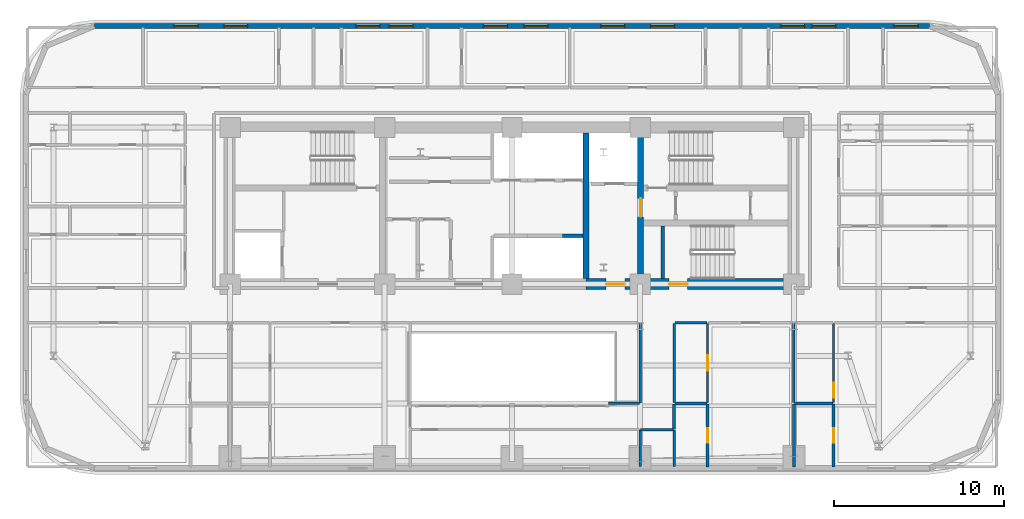
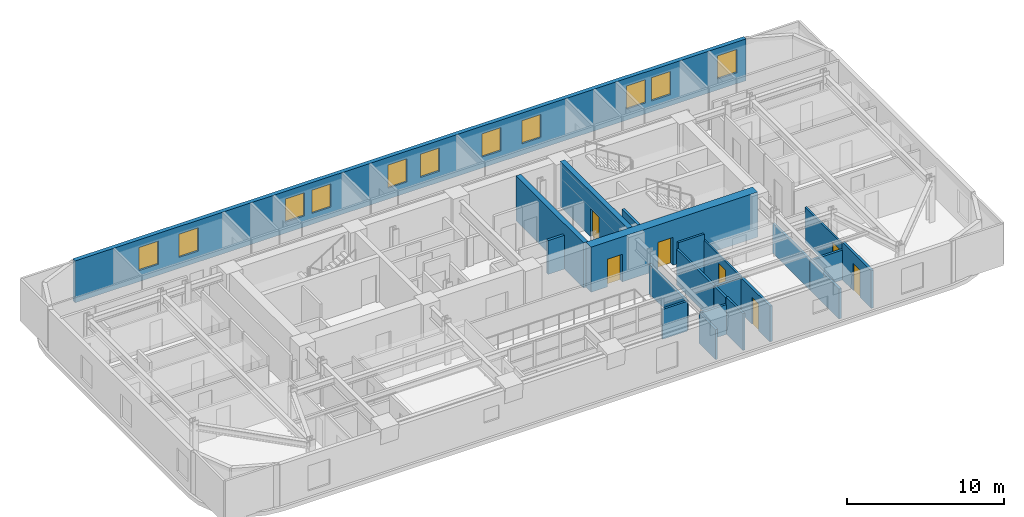
# One storey, part 11 of 16: 22 walls, 11 windows, 7 doors, 18 openings.
"""IFC4 building model written with IfcOpenShell, lengths in metres."""

from ifc_helpers import new_model, si_unit, direction, frame, frame_2d, origin, place, context, subcontext, project, spatial, rectangle, extrude, material, layer, layer_set, type_object, element, fill, save


model = new_model("IFC4")

# Units and contexts
model_context = context("Model", 3, precision=1e-05, world=origin(), true_north=direction((0.0, 1.0)))
body_context = subcontext(model_context, "Body", "Model", "MODEL_VIEW")
ifc_project = project(units=[si_unit("LENGTHUNIT", "METRE"), si_unit("AREAUNIT", "SQUARE_METRE"), si_unit("VOLUMEUNIT", "CUBIC_METRE"), si_unit("PLANEANGLEUNIT", "RADIAN"), si_unit("MASSUNIT", "GRAM", prefix="KILO")], contexts=[model_context])

# Site, building, storey
site_placement = place(None, origin())
site = spatial("IfcSite", under=ifc_project, at=site_placement, CompositionType="ELEMENT")
building_placement = place(site_placement, origin())
building = spatial("IfcBuilding", under=site, at=building_placement, Name="Zarnavel Station Tower", CompositionType="ELEMENT")
storey_placement = place(building_placement, frame((0.0, 0.0, 94.300048828125)))
storey = spatial("IfcBuildingStorey", under=building, at=storey_placement, Name="L25", CompositionType="ELEMENT", Elevation=94.300048828125)

# Wall
ifc_material_1 = material(Name="Concrete C50/60", Category="concrete")
ifc_layer_1 = layer(ifc_material_1, 0.35009765625)
ifc_layer_set_1 = layer_set([ifc_layer_1], Name="CW_350")
wall_type_1 = type_object("IfcWallType", Name="CW_350", PredefinedType="SHEAR", material=ifc_layer_set_1)
wall_1_placement = place(storey_placement, frame((33.14990234375, 28.14501953125, 0.0), z_axis=(0.0, 0.0, 1.0), x_axis=(0.0, 1.0, 0.0)))
element("IfcWall", 1, at=wall_1_placement, inside=storey, type_object=wall_type_1, Name="L25 Rear Core Shear Wall DIV-E", PredefinedType="SHEAR", context=body_context, shape_type="SweptSolid", body=[
    extrude(rectangle(XDim=8.580078125, YDim=0.35009765625, at=frame_2d((4.2900390625, 0.0))), origin(), (0.0, 0.0, 1.0), 3.5),
])

# Wall, opening, door
wall_2_placement = place(storey_placement, frame((36.3798828125, 28.14501953125, 0.0), z_axis=(0.0, 0.0, 1.0), x_axis=(0.0, 1.0, 0.0)))
wall_2 = element("IfcWall", 2, at=wall_2_placement, inside=storey, type_object=wall_type_1, Name="L25 Rear Core Shear Wall DIV-S2", PredefinedType="SHEAR", context=body_context, shape_type="SweptSolid", body=[
    extrude(rectangle(XDim=8.580078125, YDim=0.35009765625, at=frame_2d((4.2900390625, 0.0))), origin(), (0.0, 0.0, 1.0), 3.5),
])
opening_1_placement = place(wall_2_placement, frame((3.635009765625, 0.0, 0.0)))
opening_1 = element("IfcOpeningElement", 3, at=opening_1_placement, cuts=wall_2, Name="Opening FD01", PredefinedType="OPENING", context=body_context, shape_type="SweptSolid", body=[
    extrude(rectangle(XDim=1.10009765625, YDim=2.14990234375, at=frame_2d((0.550048828125, 1.074951171875))), frame((0.0, 0.18505859375, 0.0), z_axis=(0.0, -1.0, 0.0), x_axis=(1.0, 0.0, 0.0)), (0.0, 0.0, 1.0), 0.3701171875),
])
ifc_material_2 = material(Name="Painted Galvanised Steel and Hardwood Leaf", Category="steel")
door_type_1 = type_object("IfcDoorType", Name="ID_STAIR_1100", OperationType="NOTDEFINED", PredefinedType="DOOR", material=ifc_material_2)
door_1_placement = place(opening_1_placement, origin())
door_1 = element("IfcDoor", 4, at=door_1_placement, inside=storey, type_object=door_type_1, Name="L25 East Stair Vestibule Fire Door", OperationType="SINGLE_SWING_LEFT", OverallHeight=2.14990234375, OverallWidth=1.10009765625, PredefinedType="DOOR", context=body_context, shape_type="SweptSolid", body=[
    extrude(rectangle(XDim=1.10009765625, YDim=2.14990234375, at=frame_2d((0.550048828125, 1.074951171875))), frame((0.0, 0.02490234375, 0.0), z_axis=(0.0, -1.0, 0.0), x_axis=(1.0, 0.0, 0.0)), (0.0, 0.0, 1.0), 0.050048828125),
])
fill(opening_1, door_1)

# Wall, openings, doors
ifc_material_3 = material(Name="Concrete C60/75", Category="concrete")
ifc_layer_2 = layer(ifc_material_3, 0.64990234375)
ifc_layer_set_2 = layer_set([ifc_layer_2], Name="CW_650")
wall_type_2 = type_object("IfcWallType", Name="CW_650", PredefinedType="SHEAR", material=ifc_layer_set_2)
wall_3_placement = place(storey_placement, frame((45.3798828125, 27.820068359375, 0.0), z_axis=(0.0, 0.0, 1.0), x_axis=(-1.0, 0.0, 0.0)))
wall_3 = element("IfcWall", 5, at=wall_3_placement, inside=storey, type_object=wall_type_2, Name="L25 Rear Core Shear Wall S-E", PredefinedType="SHEAR", context=body_context, shape_type="SweptSolid", body=[
    extrude(rectangle(XDim=12.22998046875, YDim=0.64990234375, at=frame_2d((6.114990234375, 0.0))), origin(), (0.0, 0.0, 1.0), 3.5),
])
opening_2_placement = place(wall_3_placement, frame((9.929931640625, 0.0, 0.0)))
opening_2 = element("IfcOpeningElement", 6, at=opening_2_placement, cuts=wall_3, Name="Opening FD01", PredefinedType="OPENING", context=body_context, shape_type="SweptSolid", body=[
    extrude(rectangle(XDim=1.10009765625, YDim=2.14990234375, at=frame_2d((0.550048828125, 1.074951171875))), frame((0.0, 0.3349609375, 0.0), z_axis=(0.0, -1.0, 0.0), x_axis=(1.0, 0.0, 0.0)), (0.0, 0.0, 1.0), 0.669921875),
])
opening_3_placement = place(wall_3_placement, frame((6.22998046875, 0.0, 0.0)))
opening_3 = element("IfcOpeningElement", 7, at=opening_3_placement, cuts=wall_3, Name="Opening FD01", PredefinedType="OPENING", context=body_context, shape_type="SweptSolid", body=[
    extrude(rectangle(XDim=1.10009765625, YDim=2.14990234375, at=frame_2d((0.550048828125, 1.074951171875))), frame((0.0, 0.3349609375, 0.0), z_axis=(0.0, -1.0, 0.0), x_axis=(1.0, 0.0, 0.0)), (0.0, 0.0, 1.0), 0.669921875),
])
door_2_placement = place(opening_2_placement, origin())
door_2 = element("IfcDoor", 8, at=door_2_placement, inside=storey, type_object=door_type_1, Name="L25 East Firefighting Lobby Door", OperationType="SINGLE_SWING_LEFT", OverallHeight=2.14990234375, OverallWidth=1.10009765625, PredefinedType="DOOR", context=body_context, shape_type="SweptSolid", body=[
    extrude(rectangle(XDim=1.10009765625, YDim=2.14990234375, at=frame_2d((0.550048828125, 1.074951171875))), frame((0.0, 0.02490234375, 0.0), z_axis=(0.0, -1.0, 0.0), x_axis=(1.0, 0.0, 0.0)), (0.0, 0.0, 1.0), 0.050048828125),
])
fill(opening_2, door_2)
door_3_placement = place(opening_3_placement, origin())
door_3 = element("IfcDoor", 9, at=door_3_placement, inside=storey, type_object=door_type_1, Name="L25 Stair ST3 Corridor Fire Door", OperationType="SINGLE_SWING_RIGHT", OverallHeight=2.14990234375, OverallWidth=1.10009765625, PredefinedType="DOOR", context=body_context, shape_type="SweptSolid", body=[
    extrude(rectangle(XDim=1.10009765625, YDim=2.14990234375, at=frame_2d((0.550048828125, 1.074951171875))), frame((0.0, 0.02490234375, 0.0), z_axis=(0.0, -1.0, 0.0), x_axis=(1.0, 0.0, 0.0)), (0.0, 0.0, 1.0), 0.050048828125),
])
fill(opening_3, door_3)

# Wall, openings, windows
ifc_material_4 = material(Name="Precast concrete C45/55 (Dark Basalt Finish)", Category="masonry")
ifc_layer_3 = layer(ifc_material_4, 0.300048828125)
ifc_layer_set_3 = layer_set([ifc_layer_3], Name="EW_BASALT_300")
wall_type_3 = type_object("IfcWallType", Name="EW_BASALT_300", PredefinedType="SOLIDWALL", material=ifc_layer_set_3)
wall_4_placement = place(storey_placement, frame((4.199951171875, 43.02001953125, 0.0), z_axis=(0.0, 0.0, 1.0), x_axis=(1.0, 0.0, 0.0)))
wall_4 = element("IfcWall", 10, at=wall_4_placement, inside=storey, type_object=wall_type_3, Name="L25 Exterior Basalt Masonry Frame Wall 06", PredefinedType="SOLIDWALL", context=body_context, shape_type="SweptSolid", body=[
    extrude(rectangle(XDim=49.199951171875, YDim=0.300048828125, at=frame_2d((24.60009765625, 0.0))), origin(), (0.0, 0.0, 1.0), 3.239990234375),
])
opening_4_placement = place(wall_4_placement, frame((4.6953125, 0.0, 0.85009765625)))
opening_4 = element("IfcOpeningElement", 11, at=opening_4_placement, cuts=wall_4, Name="Opening WN01", PredefinedType="OPENING", context=body_context, shape_type="SweptSolid", body=[
    extrude(rectangle(XDim=1.39990234375, YDim=1.800048828125, at=frame_2d((0.699951171875, 0.89990234375))), frame((0.0, 0.159912109375, 0.0), z_axis=(0.0, -1.0, 0.0), x_axis=(1.0, 0.0, 0.0)), (0.0, 0.0, 1.0), 0.320068359375),
])
opening_5_placement = place(wall_4_placement, frame((7.630615234375, 0.0, 0.85009765625)))
opening_5 = element("IfcOpeningElement", 12, at=opening_5_placement, cuts=wall_4, Name="Opening WN01", PredefinedType="OPENING", context=body_context, shape_type="SweptSolid", body=[
    extrude(rectangle(XDim=1.39990234375, YDim=1.800048828125, at=frame_2d((0.699951171875, 0.89990234375))), frame((0.0, 0.159912109375, 0.0), z_axis=(0.0, -1.0, 0.0), x_axis=(1.0, 0.0, 0.0)), (0.0, 0.0, 1.0), 0.320068359375),
])
opening_6_placement = place(wall_4_placement, frame((15.417236328125, 0.0, 0.85009765625)))
opening_6 = element("IfcOpeningElement", 13, at=opening_6_placement, cuts=wall_4, Name="Opening WN01", PredefinedType="OPENING", context=body_context, shape_type="SweptSolid", body=[
    extrude(rectangle(XDim=1.39990234375, YDim=1.800048828125, at=frame_2d((0.699951171875, 0.89990234375))), frame((0.0, 0.159912109375, 0.0), z_axis=(0.0, -1.0, 0.0), x_axis=(1.0, 0.0, 0.0)), (0.0, 0.0, 1.0), 0.320068359375),
])
opening_7_placement = place(wall_4_placement, frame((17.36865234375, 0.0, 0.85009765625)))
opening_7 = element("IfcOpeningElement", 14, at=opening_7_placement, cuts=wall_4, Name="Opening WN01", PredefinedType="OPENING", context=body_context, shape_type="SweptSolid", body=[
    extrude(rectangle(XDim=1.39990234375, YDim=1.800048828125, at=frame_2d((0.699951171875, 0.89990234375))), frame((0.0, 0.159912109375, 0.0), z_axis=(0.0, -1.0, 0.0), x_axis=(1.0, 0.0, 0.0)), (0.0, 0.0, 1.0), 0.320068359375),
])
opening_8_placement = place(wall_4_placement, frame((22.920654296875, 0.0, 0.85009765625)))
opening_8 = element("IfcOpeningElement", 15, at=opening_8_placement, cuts=wall_4, Name="Opening WN01", PredefinedType="OPENING", context=body_context, shape_type="SweptSolid", body=[
    extrude(rectangle(XDim=1.39990234375, YDim=1.800048828125, at=frame_2d((0.699951171875, 0.89990234375))), frame((0.0, 0.159912109375, 0.0), z_axis=(0.0, -1.0, 0.0), x_axis=(1.0, 0.0, 0.0)), (0.0, 0.0, 1.0), 0.320068359375),
])
opening_9_placement = place(wall_4_placement, frame((25.310302734375, 0.0, 0.85009765625)))
opening_9 = element("IfcOpeningElement", 16, at=opening_9_placement, cuts=wall_4, Name="Opening WN01", PredefinedType="OPENING", context=body_context, shape_type="SweptSolid", body=[
    extrude(rectangle(XDim=1.39990234375, YDim=1.800048828125, at=frame_2d((0.699951171875, 0.89990234375))), frame((0.0, 0.159912109375, 0.0), z_axis=(0.0, -1.0, 0.0), x_axis=(1.0, 0.0, 0.0)), (0.0, 0.0, 1.0), 0.320068359375),
])
opening_10_placement = place(wall_4_placement, frame((29.835205078125, 0.0, 0.85009765625)))
opening_10 = element("IfcOpeningElement", 17, at=opening_10_placement, cuts=wall_4, Name="Opening WN01", PredefinedType="OPENING", context=body_context, shape_type="SweptSolid", body=[
    extrude(rectangle(XDim=1.39990234375, YDim=1.800048828125, at=frame_2d((0.699951171875, 0.89990234375))), frame((0.0, 0.159912109375, 0.0), z_axis=(0.0, -1.0, 0.0), x_axis=(1.0, 0.0, 0.0)), (0.0, 0.0, 1.0), 0.320068359375),
])
opening_11_placement = place(wall_4_placement, frame((32.770751953125, 0.0, 0.85009765625)))
opening_11 = element("IfcOpeningElement", 18, at=opening_11_placement, cuts=wall_4, Name="Opening WN01", PredefinedType="OPENING", context=body_context, shape_type="SweptSolid", body=[
    extrude(rectangle(XDim=1.39990234375, YDim=1.800048828125, at=frame_2d((0.699951171875, 0.89990234375))), frame((0.0, 0.159912109375, 0.0), z_axis=(0.0, -1.0, 0.0), x_axis=(1.0, 0.0, 0.0)), (0.0, 0.0, 1.0), 0.320068359375),
])
opening_12_placement = place(wall_4_placement, frame((40.437255859375, 0.0, 0.85009765625)))
opening_12 = element("IfcOpeningElement", 19, at=opening_12_placement, cuts=wall_4, Name="Opening WN01", PredefinedType="OPENING", context=body_context, shape_type="SweptSolid", body=[
    extrude(rectangle(XDim=1.39990234375, YDim=1.800048828125, at=frame_2d((0.699951171875, 0.89990234375))), frame((0.0, 0.159912109375, 0.0), z_axis=(0.0, -1.0, 0.0), x_axis=(1.0, 0.0, 0.0)), (0.0, 0.0, 1.0), 0.320068359375),
])
opening_13_placement = place(wall_4_placement, frame((42.268798828125, 0.0, 0.85009765625)))
opening_13 = element("IfcOpeningElement", 20, at=opening_13_placement, cuts=wall_4, Name="Opening WN01", PredefinedType="OPENING", context=body_context, shape_type="SweptSolid", body=[
    extrude(rectangle(XDim=1.39990234375, YDim=1.800048828125, at=frame_2d((0.699951171875, 0.89990234375))), frame((0.0, 0.159912109375, 0.0), z_axis=(0.0, -1.0, 0.0), x_axis=(1.0, 0.0, 0.0)), (0.0, 0.0, 1.0), 0.320068359375),
])
opening_14_placement = place(wall_4_placement, frame((47.114990234375, 0.0, 0.85009765625)))
opening_14 = element("IfcOpeningElement", 21, at=opening_14_placement, cuts=wall_4, Name="Opening WN01", PredefinedType="OPENING", context=body_context, shape_type="SweptSolid", body=[
    extrude(rectangle(XDim=1.39990234375, YDim=1.800048828125, at=frame_2d((0.699951171875, 0.89990234375))), frame((0.0, 0.159912109375, 0.0), z_axis=(0.0, -1.0, 0.0), x_axis=(1.0, 0.0, 0.0)), (0.0, 0.0, 1.0), 0.320068359375),
])
ifc_material_5 = material(Name="Thermally Broken Black Aluminium and Low-E Dark Glass", Category="aluminium")
window_type = type_object("IfcWindowType", Name="WN_1400x1800", PartitioningType="DOUBLE_PANEL_VERTICAL", PredefinedType="WINDOW", material=ifc_material_5)
window_1_placement = place(opening_4_placement, origin())
window_1 = element("IfcWindow", 22, at=window_1_placement, inside=storey, type_object=window_type, Name="L25 Recessed Facade Window 01", OverallHeight=1.800048828125, OverallWidth=1.39990234375, PartitioningType="SINGLE_PANEL", PredefinedType="WINDOW", context=body_context, shape_type="SweptSolid", body=[
    extrude(rectangle(XDim=1.39990234375, YDim=1.800048828125, at=frame_2d((0.699951171875, 0.89990234375))), frame((0.0, 0.030029296875, 0.0), z_axis=(0.0, -1.0, 0.0), x_axis=(1.0, 0.0, 0.0)), (0.0, 0.0, 1.0), 0.06005859375),
])
fill(opening_4, window_1)
window_2_placement = place(opening_5_placement, origin())
window_2 = element("IfcWindow", 23, at=window_2_placement, inside=storey, type_object=window_type, Name="L25 Recessed Facade Window 02", OverallHeight=1.800048828125, OverallWidth=1.39990234375, PartitioningType="SINGLE_PANEL", PredefinedType="WINDOW", context=body_context, shape_type="SweptSolid", body=[
    extrude(rectangle(XDim=1.39990234375, YDim=1.800048828125, at=frame_2d((0.699951171875, 0.89990234375))), frame((0.0, 0.030029296875, 0.0), z_axis=(0.0, -1.0, 0.0), x_axis=(1.0, 0.0, 0.0)), (0.0, 0.0, 1.0), 0.06005859375),
])
fill(opening_5, window_2)
window_3_placement = place(opening_6_placement, origin())
window_3 = element("IfcWindow", 24, at=window_3_placement, inside=storey, type_object=window_type, Name="L25 Recessed Facade Window 03", OverallHeight=1.800048828125, OverallWidth=1.39990234375, PartitioningType="SINGLE_PANEL", PredefinedType="WINDOW", context=body_context, shape_type="SweptSolid", body=[
    extrude(rectangle(XDim=1.39990234375, YDim=1.800048828125, at=frame_2d((0.699951171875, 0.89990234375))), frame((0.0, 0.030029296875, 0.0), z_axis=(0.0, -1.0, 0.0), x_axis=(1.0, 0.0, 0.0)), (0.0, 0.0, 1.0), 0.06005859375),
])
fill(opening_6, window_3)
window_4_placement = place(opening_7_placement, origin())
window_4 = element("IfcWindow", 25, at=window_4_placement, inside=storey, type_object=window_type, Name="L25 Recessed Facade Window 04", OverallHeight=1.800048828125, OverallWidth=1.39990234375, PartitioningType="SINGLE_PANEL", PredefinedType="WINDOW", context=body_context, shape_type="SweptSolid", body=[
    extrude(rectangle(XDim=1.39990234375, YDim=1.800048828125, at=frame_2d((0.699951171875, 0.89990234375))), frame((0.0, 0.030029296875, 0.0), z_axis=(0.0, -1.0, 0.0), x_axis=(1.0, 0.0, 0.0)), (0.0, 0.0, 1.0), 0.06005859375),
])
fill(opening_7, window_4)
window_5_placement = place(opening_8_placement, origin())
window_5 = element("IfcWindow", 26, at=window_5_placement, inside=storey, type_object=window_type, Name="L25 Recessed Facade Window 05", OverallHeight=1.800048828125, OverallWidth=1.39990234375, PartitioningType="SINGLE_PANEL", PredefinedType="WINDOW", context=body_context, shape_type="SweptSolid", body=[
    extrude(rectangle(XDim=1.39990234375, YDim=1.800048828125, at=frame_2d((0.699951171875, 0.89990234375))), frame((0.0, 0.030029296875, 0.0), z_axis=(0.0, -1.0, 0.0), x_axis=(1.0, 0.0, 0.0)), (0.0, 0.0, 1.0), 0.06005859375),
])
fill(opening_8, window_5)
window_6_placement = place(opening_9_placement, origin())
window_6 = element("IfcWindow", 27, at=window_6_placement, inside=storey, type_object=window_type, Name="L25 Recessed Facade Window 06", OverallHeight=1.800048828125, OverallWidth=1.39990234375, PartitioningType="SINGLE_PANEL", PredefinedType="WINDOW", context=body_context, shape_type="SweptSolid", body=[
    extrude(rectangle(XDim=1.39990234375, YDim=1.800048828125, at=frame_2d((0.699951171875, 0.89990234375))), frame((0.0, 0.030029296875, 0.0), z_axis=(0.0, -1.0, 0.0), x_axis=(1.0, 0.0, 0.0)), (0.0, 0.0, 1.0), 0.06005859375),
])
fill(opening_9, window_6)
window_7_placement = place(opening_10_placement, origin())
window_7 = element("IfcWindow", 28, at=window_7_placement, inside=storey, type_object=window_type, Name="L25 Recessed Facade Window 07", OverallHeight=1.800048828125, OverallWidth=1.39990234375, PartitioningType="SINGLE_PANEL", PredefinedType="WINDOW", context=body_context, shape_type="SweptSolid", body=[
    extrude(rectangle(XDim=1.39990234375, YDim=1.800048828125, at=frame_2d((0.699951171875, 0.89990234375))), frame((0.0, 0.030029296875, 0.0), z_axis=(0.0, -1.0, 0.0), x_axis=(1.0, 0.0, 0.0)), (0.0, 0.0, 1.0), 0.06005859375),
])
fill(opening_10, window_7)
window_8_placement = place(opening_11_placement, origin())
window_8 = element("IfcWindow", 29, at=window_8_placement, inside=storey, type_object=window_type, Name="L25 Recessed Facade Window 08", OverallHeight=1.800048828125, OverallWidth=1.39990234375, PartitioningType="SINGLE_PANEL", PredefinedType="WINDOW", context=body_context, shape_type="SweptSolid", body=[
    extrude(rectangle(XDim=1.39990234375, YDim=1.800048828125, at=frame_2d((0.699951171875, 0.89990234375))), frame((0.0, 0.030029296875, 0.0), z_axis=(0.0, -1.0, 0.0), x_axis=(1.0, 0.0, 0.0)), (0.0, 0.0, 1.0), 0.06005859375),
])
fill(opening_11, window_8)
window_9_placement = place(opening_12_placement, origin())
window_9 = element("IfcWindow", 30, at=window_9_placement, inside=storey, type_object=window_type, Name="L25 Recessed Facade Window 09", OverallHeight=1.800048828125, OverallWidth=1.39990234375, PartitioningType="SINGLE_PANEL", PredefinedType="WINDOW", context=body_context, shape_type="SweptSolid", body=[
    extrude(rectangle(XDim=1.39990234375, YDim=1.800048828125, at=frame_2d((0.699951171875, 0.89990234375))), frame((0.0, 0.030029296875, 0.0), z_axis=(0.0, -1.0, 0.0), x_axis=(1.0, 0.0, 0.0)), (0.0, 0.0, 1.0), 0.06005859375),
])
fill(opening_12, window_9)
window_10_placement = place(opening_13_placement, origin())
window_10 = element("IfcWindow", 31, at=window_10_placement, inside=storey, type_object=window_type, Name="L25 Recessed Facade Window 10", OverallHeight=1.800048828125, OverallWidth=1.39990234375, PartitioningType="SINGLE_PANEL", PredefinedType="WINDOW", context=body_context, shape_type="SweptSolid", body=[
    extrude(rectangle(XDim=1.39990234375, YDim=1.800048828125, at=frame_2d((0.699951171875, 0.89990234375))), frame((0.0, 0.030029296875, 0.0), z_axis=(0.0, -1.0, 0.0), x_axis=(1.0, 0.0, 0.0)), (0.0, 0.0, 1.0), 0.06005859375),
])
fill(opening_13, window_10)
window_11_placement = place(opening_14_placement, origin())
window_11 = element("IfcWindow", 32, at=window_11_placement, inside=storey, type_object=window_type, Name="L25 Recessed Facade Window 11", OverallHeight=1.800048828125, OverallWidth=1.39990234375, PartitioningType="SINGLE_PANEL", PredefinedType="WINDOW", context=body_context, shape_type="SweptSolid", body=[
    extrude(rectangle(XDim=1.39990234375, YDim=1.800048828125, at=frame_2d((0.699951171875, 0.89990234375))), frame((0.0, 0.030029296875, 0.0), z_axis=(0.0, -1.0, 0.0), x_axis=(1.0, 0.0, 0.0)), (0.0, 0.0, 1.0), 0.06005859375),
])
fill(opening_14, window_11)

# Walls
ifc_material_6 = material(Name="Gypsum Twin-Stud Acoustic Fire Partition", Category="concrete")
ifc_layer_4 = layer(ifc_material_6, 0.159912109375)
ifc_layer_set_4 = layer_set([ifc_layer_4], Name="PT_DEMISE_160")
wall_type_4 = type_object("IfcWallType", Name="PT_DEMISE_160", PredefinedType="PARTITIONING", material=ifc_layer_set_4)
wall_5_placement = place(storey_placement, frame((38.389892578125, 25.550048828125, 0.0), z_axis=(0.0, 0.0, 1.0), x_axis=(1.0, 0.0, 0.0)))
element("IfcWall", 33, at=wall_5_placement, inside=storey, type_object=wall_type_4, Name="L25 Partition COR-S-HE1S", PredefinedType="PARTITIONING", context=body_context, shape_type="SweptSolid", body=[
    extrude(rectangle(XDim=1.89404296875, YDim=0.159912109375, at=frame_2d((0.947021484375, 0.0))), origin(), (0.0, 0.0, 1.0), 3.239990234375),
])
wall_6_placement = place(storey_placement, frame((38.35009765625, 20.8359375, 0.0), z_axis=(0.0, 0.0, 1.0), x_axis=(0.0, 1.0, 0.0)))
element("IfcWall", 34, at=wall_6_placement, inside=storey, type_object=wall_type_4, Name="L25 Partition COR-AE-HE1S", PredefinedType="PARTITIONING", context=body_context, shape_type="SweptSolid", body=[
    extrude(rectangle(XDim=4.674072265625, YDim=0.159912109375, at=frame_2d((2.3369140625, 0.0))), origin(), (0.0, 0.0, 1.0), 2.77001953125),
])
wall_7_placement = place(storey_placement, frame((45.39990234375, 20.8359375, 0.0), z_axis=(0.0, 0.0, 1.0), x_axis=(0.0, 1.0, 0.0)))
element("IfcWall", 35, at=wall_7_placement, inside=storey, type_object=wall_type_4, Name="L25 Partition HE1R-HE2S", PredefinedType="PARTITIONING", context=body_context, shape_type="SweptSolid", body=[
    extrude(rectangle(XDim=4.674072265625, YDim=0.159912109375, at=frame_2d((2.3369140625, 0.0))), origin(), (0.0, 0.0, 1.0), 2.31005859375),
])
wall_8_placement = place(storey_placement, frame((36.3798828125, 19.25, 0.0), z_axis=(0.0, 0.0, 1.0), x_axis=(1.0, 0.0, 0.0)))
element("IfcWall", 36, at=wall_8_placement, inside=storey, type_object=wall_type_4, Name="L25 Enclosure Wall COR-AE", PredefinedType="PARTITIONING", context=body_context, shape_type="SweptSolid", body=[
    extrude(rectangle(XDim=1.940185546875, YDim=0.159912109375, at=frame_2d((0.97021484375, 0.0))), origin(), (0.0, 0.0, 1.0), 2.31005859375),
])
wall_9_placement = place(storey_placement, frame((36.35009765625, 20.830078125, 0.0), z_axis=(0.0, 0.0, 1.0), x_axis=(0.0, 1.0, 0.0)))
element("IfcWall", 37, at=wall_9_placement, inside=storey, type_object=wall_type_4, Name="L25 Enclosure Wall COR-AE", PredefinedType="PARTITIONING", context=body_context, shape_type="SweptSolid", body=[
    extrude(rectangle(XDim=4.68994140625, YDim=0.159912109375, at=frame_2d((2.344970703125, 0.0))), origin(), (0.0, 0.0, 1.0), 2.31005859375),
])
wall_10_placement = place(storey_placement, frame((34.47998046875, 20.800048828125, 0.0), z_axis=(0.0, 0.0, 1.0), x_axis=(1.0, 0.0, 0.0)))
element("IfcWall", 38, at=wall_10_placement, inside=storey, type_object=wall_type_4, Name="L25 Enclosure Wall COR-AS", PredefinedType="PARTITIONING", context=body_context, shape_type="SweptSolid", body=[
    extrude(rectangle(XDim=1.840087890625, YDim=0.159912109375, at=frame_2d((0.919921875, 0.0))), origin(), (0.0, 0.0, 1.0), 2.31005859375),
])
wall_11_placement = place(storey_placement, frame((36.35009765625, 17.090087890625, 0.0), z_axis=(0.0, 0.0, 1.0), x_axis=(0.0, 1.0, 0.0)))
element("IfcWall", 39, at=wall_11_placement, inside=storey, type_object=wall_type_4, Name="L25 Enclosure Wall L25SAL", PredefinedType="PARTITIONING", context=body_context, shape_type="SweptSolid", body=[
    extrude(rectangle(XDim=2.1298828125, YDim=0.159912109375, at=frame_2d((1.06494140625, 0.0))), origin(), (0.0, 0.0, 1.0), 2.31005859375),
])
wall_12_placement = place(storey_placement, frame((38.35009765625, 17.090087890625, 0.0), z_axis=(0.0, 0.0, 1.0), x_axis=(0.0, 1.0, 0.0)))
element("IfcWall", 40, at=wall_12_placement, inside=storey, type_object=wall_type_4, Name="L25 Enclosure Wall HE1B", PredefinedType="PARTITIONING", context=body_context, shape_type="SweptSolid", body=[
    extrude(rectangle(XDim=2.1298828125, YDim=0.159912109375, at=frame_2d((1.06494140625, 0.0))), origin(), (0.0, 0.0, 1.0), 2.85986328125),
])

# Wall, opening, door
ifc_material_7 = material(Name="Gypsum Metal-Stud Interior Partition", Category="concrete")
ifc_layer_5 = layer(ifc_material_7, 0.1201171875)
ifc_layer_set_5 = layer_set([ifc_layer_5], Name="PT_ROOM_120")
wall_type_5 = type_object("IfcWallType", Name="PT_ROOM_120", PredefinedType="PARTITIONING", material=ifc_layer_set_5)
wall_13_placement = place(storey_placement, frame((40.323974609375, 20.8359375, 0.0), z_axis=(0.0, 0.0, 1.0), x_axis=(0.0, 1.0, 0.0)))
wall_13 = element("IfcWall", 41, at=wall_13_placement, inside=storey, type_object=wall_type_5, Name="L25 Partition HE1R-HE1S", PredefinedType="PARTITIONING", context=body_context, shape_type="SweptSolid", body=[
    extrude(rectangle(XDim=4.674072265625, YDim=0.1201171875, at=frame_2d((2.3369140625, 0.0))), origin(), (0.0, 0.0, 1.0), 2.77001953125),
])
opening_15_placement = place(wall_13_placement, frame((1.886962890625, 0.0, 0.0)))
opening_15 = element("IfcOpeningElement", 42, at=opening_15_placement, cuts=wall_13, Name="Opening ID01", PredefinedType="OPENING", context=body_context, shape_type="SweptSolid", body=[
    extrude(rectangle(XDim=0.89990234375, YDim=2.10009765625, at=frame_2d((0.449951171875, 1.050048828125))), frame((0.0, 0.070068359375, 0.0), z_axis=(0.0, -1.0, 0.0), x_axis=(1.0, 0.0, 0.0)), (0.0, 0.0, 1.0), 0.14013671875),
])
ifc_material_8 = material(Name="Painted Galvanised Steel and Hardwood Leaf", Category="steel")
door_type_2 = type_object("IfcDoorType", Name="ID_ROOM_900", OperationType="NOTDEFINED", PredefinedType="DOOR", material=ifc_material_8)
door_4_placement = place(opening_15_placement, origin())
door_4 = element("IfcDoor", 43, at=door_4_placement, inside=storey, type_object=door_type_2, Name="L25 Door HE1R-HE1S", OperationType="SINGLE_SWING_LEFT", OverallHeight=2.10009765625, OverallWidth=0.89990234375, PredefinedType="DOOR", context=body_context, shape_type="SweptSolid", body=[
    extrude(rectangle(XDim=0.89990234375, YDim=2.10009765625, at=frame_2d((0.449951171875, 1.050048828125))), frame((0.0, 0.02490234375, 0.0), z_axis=(0.0, -1.0, 0.0), x_axis=(1.0, 0.0, 0.0)), (0.0, 0.0, 1.0), 0.050048828125),
])
fill(opening_15, door_4)

wall_14_placement = place(storey_placement, frame((47.75, 20.8359375, 0.0), z_axis=(0.0, 0.0, 1.0), x_axis=(0.0, 1.0, 0.0)))
wall_14 = element("IfcWall", 44, at=wall_14_placement, inside=storey, type_object=wall_type_5, Name="L25 Partition HE2R-HE2S", PredefinedType="PARTITIONING", context=body_context, shape_type="SweptSolid", body=[
    extrude(rectangle(XDim=4.674072265625, YDim=0.1201171875, at=frame_2d((2.3369140625, 0.0))), origin(), (0.0, 0.0, 1.0), 2.719970703125),
])
opening_16_placement = place(wall_14_placement, frame((0.28564453125, 0.0, 0.0)))
opening_16 = element("IfcOpeningElement", 45, at=opening_16_placement, cuts=wall_14, Name="Opening ID01", PredefinedType="OPENING", context=body_context, shape_type="SweptSolid", body=[
    extrude(rectangle(XDim=0.89990234375, YDim=2.10009765625, at=frame_2d((0.449951171875, 1.050048828125))), frame((0.0, 0.070068359375, 0.0), z_axis=(0.0, -1.0, 0.0), x_axis=(1.0, 0.0, 0.0)), (0.0, 0.0, 1.0), 0.14013671875),
])
door_5_placement = place(opening_16_placement, origin())
door_5 = element("IfcDoor", 46, at=door_5_placement, inside=storey, type_object=door_type_2, Name="L25 Door HE2R-HE2S", OperationType="SINGLE_SWING_LEFT", OverallHeight=2.10009765625, OverallWidth=0.89990234375, PredefinedType="DOOR", context=body_context, shape_type="SweptSolid", body=[
    extrude(rectangle(XDim=0.89990234375, YDim=2.10009765625, at=frame_2d((0.449951171875, 1.050048828125))), frame((0.0, 0.02490234375, 0.0), z_axis=(0.0, -1.0, 0.0), x_axis=(1.0, 0.0, 0.0)), (0.0, 0.0, 1.0), 0.050048828125),
])
fill(opening_16, door_5)

# Walls
ifc_material_9 = material(Name="Precast concrete C45/55 (Fire Shaft Blockwork)", Category="masonry")
ifc_layer_6 = layer(ifc_material_9, 0.199951171875)
ifc_layer_set_6 = layer_set([ifc_layer_6], Name="PT_SHAFT_200")
wall_type_6 = type_object("IfcWallType", Name="PT_SHAFT_200", PredefinedType="PARTITIONING", material=ifc_layer_set_6)
wall_15_placement = place(storey_placement, frame((31.77490234375, 30.669921875, 0.0), z_axis=(0.0, 0.0, 1.0), x_axis=(1.0, 0.0, 0.0)))
element("IfcWall", 47, at=wall_15_placement, inside=storey, type_object=wall_type_6, Name="L25 Lift PL-H3 Shaft Front Wall", PredefinedType="PARTITIONING", context=body_context, shape_type="SweptSolid", body=[
    extrude(rectangle(XDim=1.2001953125, YDim=0.199951171875, at=frame_2d((0.60009765625, 0.0))), origin(), (0.0, 0.0, 1.0), 2.619873046875),
])
wall_16_placement = place(storey_placement, frame((37.679931640625, 28.14501953125, 0.0), z_axis=(0.0, 0.0, 1.0), x_axis=(0.0, 1.0, 0.0)))
element("IfcWall", 48, at=wall_16_placement, inside=storey, type_object=wall_type_6, Name="L25 Stair ST3 West Shaft Wall", PredefinedType="PARTITIONING", context=body_context, shape_type="SweptSolid", body=[
    extrude(rectangle(XDim=3.10498046875, YDim=0.199951171875, at=frame_2d((1.552490234375, 0.0))), origin(), (0.0, 0.0, 1.0), 2.619873046875),
])
ifc_material_10 = material(Name="Moisture-Resistant Plumbing Chase Wall", Category="concrete")
ifc_layer_7 = layer(ifc_material_10, 0.179931640625)
ifc_layer_set_7 = layer_set([ifc_layer_7], Name="PW_PLUMB_180")
wall_type_7 = type_object("IfcWallType", Name="PW_PLUMB_180", PredefinedType="PLUMBINGWALL", material=ifc_layer_set_7)
wall_17_placement = place(storey_placement, frame((38.35009765625, 19.2900390625, 0.0), z_axis=(0.0, 0.0, 1.0), x_axis=(0.0, 1.0, 0.0)))
element("IfcWall", 49, at=wall_17_placement, inside=storey, type_object=wall_type_7, Name="L25 Partition COR-AE-HE1B", PredefinedType="PLUMBINGWALL", context=body_context, shape_type="SweptSolid", body=[
    extrude(rectangle(XDim=1.466064453125, YDim=0.179931640625, at=frame_2d((0.73291015625, 0.0))), origin(), (0.0, 0.0, 1.0), 2.77001953125),
])

# Wall, opening, door
wall_18_placement = place(storey_placement, frame((40.323974609375, 17.06005859375, 0.0), z_axis=(0.0, 0.0, 1.0), x_axis=(0.0, 1.0, 0.0)))
wall_18 = element("IfcWall", 50, at=wall_18_placement, inside=storey, type_object=wall_type_7, Name="L25 Partition HE1R-HE1B", PredefinedType="PLUMBINGWALL", context=body_context, shape_type="SweptSolid", body=[
    extrude(rectangle(XDim=3.696044921875, YDim=0.179931640625, at=frame_2d((1.84814453125, 0.0))), origin(), (0.0, 0.0, 1.0), 2.77001953125),
])
opening_17_placement = place(wall_18_placement, frame((1.423095703125, 0.0, 0.0)))
opening_17 = element("IfcOpeningElement", 51, at=opening_17_placement, cuts=wall_18, Name="Opening ID02", PredefinedType="OPENING", context=body_context, shape_type="SweptSolid", body=[
    extrude(rectangle(XDim=0.85009765625, YDim=2.10009765625, at=frame_2d((0.425048828125, 1.050048828125))), frame((0.0, 0.099853515625, 0.0), z_axis=(0.0, -1.0, 0.0), x_axis=(1.0, 0.0, 0.0)), (0.0, 0.0, 1.0), 0.199951171875),
])
ifc_material_11 = material(Name="Painted Galvanised Steel and Hardwood Leaf", Category="steel")
door_type_3 = type_object("IfcDoorType", Name="ID_BATH_850", OperationType="NOTDEFINED", PredefinedType="DOOR", material=ifc_material_11)
door_6_placement = place(opening_17_placement, origin())
door_6 = element("IfcDoor", 52, at=door_6_placement, inside=storey, type_object=door_type_3, Name="L25 Door HE1R-HE1B", OperationType="SINGLE_SWING_RIGHT", OverallHeight=2.10009765625, OverallWidth=0.85009765625, PredefinedType="DOOR", context=body_context, shape_type="SweptSolid", body=[
    extrude(rectangle(XDim=0.85009765625, YDim=2.10009765625, at=frame_2d((0.425048828125, 1.050048828125))), frame((0.0, 0.02490234375, 0.0), z_axis=(0.0, -1.0, 0.0), x_axis=(1.0, 0.0, 0.0)), (0.0, 0.0, 1.0), 0.050048828125),
])
fill(opening_17, door_6)

# Walls
wall_19_placement = place(storey_placement, frame((45.39990234375, 17.06005859375, 0.0), z_axis=(0.0, 0.0, 1.0), x_axis=(0.0, 1.0, 0.0)))
element("IfcWall", 53, at=wall_19_placement, inside=storey, type_object=wall_type_7, Name="L25 Partition HE1R-HE2B", PredefinedType="PLUMBINGWALL", context=body_context, shape_type="SweptSolid", body=[
    extrude(rectangle(XDim=3.696044921875, YDim=0.179931640625, at=frame_2d((1.84814453125, 0.0))), origin(), (0.0, 0.0, 1.0), 2.31005859375),
])
wall_20_placement = place(storey_placement, frame((38.389892578125, 20.7958984375, 0.0), z_axis=(0.0, 0.0, 1.0), x_axis=(1.0, 0.0, 0.0)))
element("IfcWall", 54, at=wall_20_placement, inside=storey, type_object=wall_type_7, Name="L25 Partition HE1B-HE1S", PredefinedType="PLUMBINGWALL", context=body_context, shape_type="SweptSolid", body=[
    extrude(rectangle(XDim=1.89404296875, YDim=0.179931640625, at=frame_2d((0.947021484375, 0.0))), origin(), (0.0, 0.0, 1.0), 2.77001953125),
])

# Wall, opening, door
wall_21_placement = place(storey_placement, frame((47.75, 17.06005859375, 0.0), z_axis=(0.0, 0.0, 1.0), x_axis=(0.0, 1.0, 0.0)))
wall_21 = element("IfcWall", 55, at=wall_21_placement, inside=storey, type_object=wall_type_7, Name="L25 Partition HE2R-HE2B", PredefinedType="PLUMBINGWALL", context=body_context, shape_type="SweptSolid", body=[
    extrude(rectangle(XDim=3.696044921875, YDim=0.179931640625, at=frame_2d((1.84814453125, 0.0))), origin(), (0.0, 0.0, 1.0), 2.919921875),
])
opening_18_placement = place(wall_21_placement, frame((1.423095703125, 0.0, 0.0)))
opening_18 = element("IfcOpeningElement", 56, at=opening_18_placement, cuts=wall_21, Name="Opening ID02", PredefinedType="OPENING", context=body_context, shape_type="SweptSolid", body=[
    extrude(rectangle(XDim=0.85009765625, YDim=2.10009765625, at=frame_2d((0.425048828125, 1.050048828125))), frame((0.0, 0.099853515625, 0.0), z_axis=(0.0, -1.0, 0.0), x_axis=(1.0, 0.0, 0.0)), (0.0, 0.0, 1.0), 0.199951171875),
])
door_7_placement = place(opening_18_placement, origin())
door_7 = element("IfcDoor", 57, at=door_7_placement, inside=storey, type_object=door_type_3, Name="L25 Door HE2R-HE2B", OperationType="SINGLE_SWING_RIGHT", OverallHeight=2.10009765625, OverallWidth=0.85009765625, PredefinedType="DOOR", context=body_context, shape_type="SweptSolid", body=[
    extrude(rectangle(XDim=0.85009765625, YDim=2.10009765625, at=frame_2d((0.425048828125, 1.050048828125))), frame((0.0, 0.02490234375, 0.0), z_axis=(0.0, -1.0, 0.0), x_axis=(1.0, 0.0, 0.0)), (0.0, 0.0, 1.0), 0.050048828125),
])
fill(opening_18, door_7)

# Wall
wall_22_placement = place(storey_placement, frame((45.43994140625, 20.7958984375, 0.0), z_axis=(0.0, 0.0, 1.0), x_axis=(1.0, 0.0, 0.0)))
element("IfcWall", 58, at=wall_22_placement, inside=storey, type_object=wall_type_7, Name="L25 Partition HE2B-HE2S", PredefinedType="PLUMBINGWALL", context=body_context, shape_type="SweptSolid", body=[
    extrude(rectangle(XDim=2.27001953125, YDim=0.179931640625, at=frame_2d((1.135009765625, 0.0))), origin(), (0.0, 0.0, 1.0), 2.31005859375),
])

save(model, "model.ifc")
